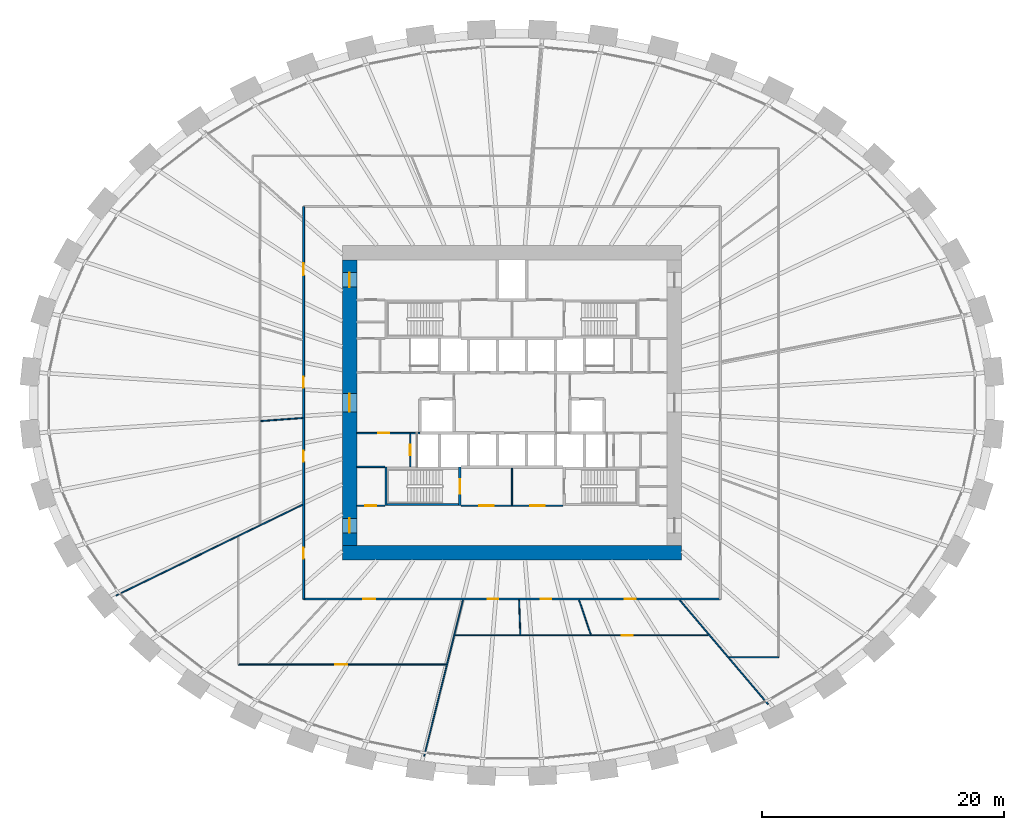
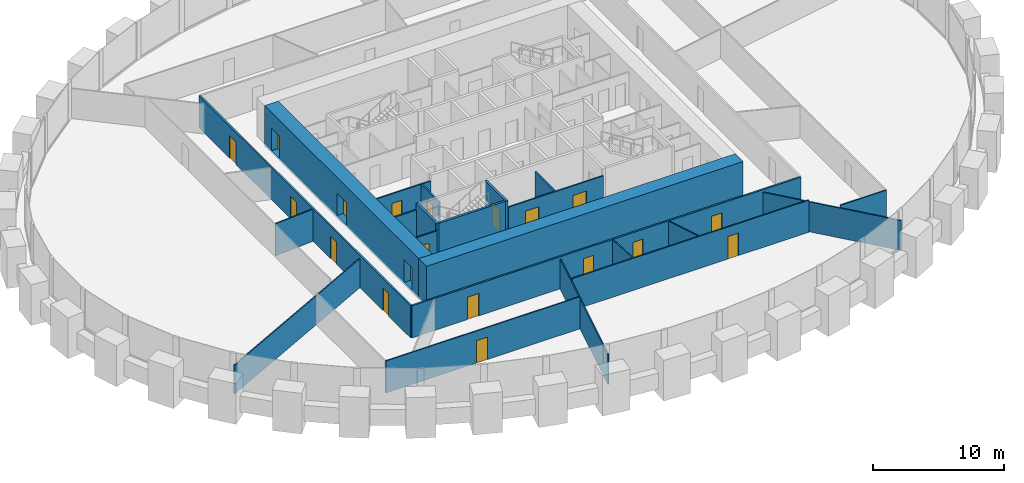
# One storey, part 6 of 10: 22 walls, 19 doors, 19 openings.
"""IFC4 building model written with IfcOpenShell, lengths in metres."""

from ifc_helpers import new_model, si_unit, direction, frame, frame_2d, origin, place, context, subcontext, project, spatial, rectangle, extrude, source, transform, mapped, material, layer, layer_set, type_object, element, fill, save


model = new_model("IFC4")

# Units and contexts
model_context = context("Model", 3, precision=1e-05, world=origin(), true_north=direction((0.0, 1.0)))
body_context = subcontext(model_context, "Body", "Model", "MODEL_VIEW")
ifc_project = project(units=[si_unit("LENGTHUNIT", "METRE"), si_unit("AREAUNIT", "SQUARE_METRE"), si_unit("VOLUMEUNIT", "CUBIC_METRE"), si_unit("PLANEANGLEUNIT", "RADIAN"), si_unit("MASSUNIT", "GRAM", prefix="KILO")], contexts=[model_context])

# Site, building, storey
site_placement = place(None, origin())
site = spatial("IfcSite", under=ifc_project, at=site_placement, CompositionType="ELEMENT")
building_placement = place(site_placement, origin())
building = spatial("IfcBuilding", under=site, at=building_placement, Name="Embergate Tower", CompositionType="ELEMENT")
storey_placement = place(building_placement, frame((0.0, 0.0, 121.10009765625)))
storey = spatial("IfcBuildingStorey", under=building, at=storey_placement, Name="L26", CompositionType="ELEMENT", Elevation=121.10009765625)

# Wall
ifc_material_1 = material(Name="Concrete C80", Category="concrete")
ifc_layer_1 = layer(ifc_material_1, 1.199951171875)
ifc_layer_set_1 = layer_set([ifc_layer_1], Name="Concrete C80")
wall_type_1 = type_object("IfcWallType", Name="Core outer wall C80 1200", PredefinedType="SHEAR", material=ifc_layer_set_1)
shared_shape_1 = source(origin(), body_context, "Body", "SweptSolid", [
    extrude(rectangle(XDim=28.0, YDim=1.199951171875, at=frame_2d((14.0, 0.0))), origin(), (0.0, 0.0, 1.0), 3.800048828125),
])
wall_1_placement = place(storey_placement, frame((-14.0, -12.39990234375, -0.2001953125), z_axis=(0.0, 0.0, 1.0), x_axis=(1.0, 0.0, 0.0)))
element("IfcWall", 1, at=wall_1_placement, inside=storey, type_object=wall_type_1, Name="CW-L26-S", PredefinedType="SHEAR", context=body_context, shape_type="MappedRepresentation", body=[
    mapped(shared_shape_1, transform((0.0, 0.0, 0.0))),
])

# Wall, openings, doors
shared_shape_2 = source(origin(), body_context, "Body", "SweptSolid", [
    extrude(rectangle(XDim=23.60009765625, YDim=1.199951171875, at=frame_2d((11.800048828125, 0.0))), origin(), (0.0, 0.0, 1.0), 3.800048828125),
])
wall_2_placement = place(storey_placement, frame((-13.39990234375, -11.800048828125, -0.2001953125), z_axis=(0.0, 0.0, 1.0), x_axis=(0.0, 1.0, 0.0)))
wall_2 = element("IfcWall", 2, at=wall_2_placement, inside=storey, type_object=wall_type_1, Name="CW-L26-W", PredefinedType="SHEAR", context=body_context, shape_type="MappedRepresentation", body=[
    mapped(shared_shape_2, transform((0.0, 0.0, 0.0))),
])
shared_shape_3 = source(origin(), body_context, "Body", "SweptSolid", [
    extrude(rectangle(XDim=1.199951171875, YDim=2.10009765625, at=frame_2d((0.60009765625, 1.050048828125))), frame((0.0, 0.60986328125, 0.0), z_axis=(0.0, -1.0, 0.0), x_axis=(1.0, 0.0, 0.0)), (0.0, 0.0, 1.0), 1.219970703125),
])
opening_1_placement = place(wall_2_placement, frame((21.35009765625, 0.0, 0.199951171875)))
opening_1 = element("IfcOpeningElement", 3, at=opening_1_placement, cuts=wall_2, Name="Opening IF-1", PredefinedType="OPENING", context=body_context, shape_type="MappedRepresentation", body=[
    mapped(shared_shape_3, transform((0.0, 0.0, 0.0))),
])
opening_2_placement = place(wall_2_placement, frame((1.050048828125, 0.0, 0.199951171875)))
opening_2 = element("IfcOpeningElement", 4, at=opening_2_placement, cuts=wall_2, Name="Opening IF-1", PredefinedType="OPENING", context=body_context, shape_type="MappedRepresentation", body=[
    mapped(shared_shape_3, transform((0.0, 0.0, 0.0))),
])
shared_shape_4 = source(origin(), body_context, "Body", "SweptSolid", [
    extrude(rectangle(XDim=1.5, YDim=2.10009765625, at=frame_2d((0.75, 1.050048828125))), frame((0.0, 0.60986328125, 0.0), z_axis=(0.0, -1.0, 0.0), x_axis=(1.0, 0.0, 0.0)), (0.0, 0.0, 1.0), 1.219970703125),
])
opening_3_placement = place(wall_2_placement, frame((11.050048828125, 0.0, 0.199951171875)))
opening_3 = element("IfcOpeningElement", 5, at=opening_3_placement, cuts=wall_2, Name="Opening IF-3", PredefinedType="OPENING", context=body_context, shape_type="MappedRepresentation", body=[
    mapped(shared_shape_4, transform((0.0, 0.0, 0.0))),
])
ifc_material_2 = material(Name="Escape fire door 1200")
door_type_1 = type_object("IfcDoorType", Name="Escape fire door 1200", OperationType="SINGLE_SWING_LEFT", PredefinedType="DOOR", material=ifc_material_2)
shared_shape_5 = source(origin(), body_context, "Body", "SweptSolid", [
    extrude(rectangle(XDim=1.199951171875, YDim=2.10009765625, at=frame_2d((0.60009765625, 1.050048828125))), frame((0.0, 0.02490234375, 0.0), z_axis=(0.0, -1.0, 0.0), x_axis=(1.0, 0.0, 0.0)), (0.0, 0.0, 1.0), 0.050048828125),
])
door_1_placement = place(opening_1_placement, origin())
door_1 = element("IfcDoor", 6, at=door_1_placement, inside=storey, type_object=door_type_1, Name="IF-1 door", OperationType="SINGLE_SWING_LEFT", OverallHeight=2.10009765625, OverallWidth=1.199951171875, PredefinedType="DOOR", context=body_context, shape_type="MappedRepresentation", body=[
    mapped(shared_shape_5, transform((0.0, 0.0, 0.0))),
])
fill(opening_1, door_1)
door_2_placement = place(opening_2_placement, origin())
door_2 = element("IfcDoor", 7, at=door_2_placement, inside=storey, type_object=door_type_1, Name="IF-1 door", OperationType="SINGLE_SWING_LEFT", OverallHeight=2.10009765625, OverallWidth=1.199951171875, PredefinedType="DOOR", context=body_context, shape_type="MappedRepresentation", body=[
    mapped(shared_shape_5, transform((0.0, 0.0, 0.0))),
])
fill(opening_2, door_2)
ifc_material_3 = material(Name="Lobby fire door pair 1500")
door_type_2 = type_object("IfcDoorType", Name="Lobby fire door pair 1500", OperationType="DOUBLE_DOOR_SINGLE_SWING", PredefinedType="DOOR", material=ifc_material_3)
shared_shape_6 = source(origin(), body_context, "Body", "SweptSolid", [
    extrude(rectangle(XDim=1.5, YDim=2.10009765625, at=frame_2d((0.75, 1.050048828125))), frame((0.0, 0.02490234375, 0.0), z_axis=(0.0, -1.0, 0.0), x_axis=(1.0, 0.0, 0.0)), (0.0, 0.0, 1.0), 0.050048828125),
])
door_3_placement = place(opening_3_placement, origin())
door_3 = element("IfcDoor", 8, at=door_3_placement, inside=storey, type_object=door_type_2, Name="IF-3 door", OperationType="DOUBLE_DOOR_SINGLE_SWING", OverallHeight=2.10009765625, OverallWidth=1.5, PredefinedType="DOOR", context=body_context, shape_type="MappedRepresentation", body=[
    mapped(shared_shape_6, transform((0.0, 0.0, 0.0))),
])
fill(opening_3, door_3)

# Wall, opening, door
ifc_material_4 = material(Name="Core partition blockwork 120")
ifc_layer_2 = layer(ifc_material_4, 0.1201171875)
ifc_layer_set_2 = layer_set([ifc_layer_2], Name="Core partition blockwork 120")
wall_type_2 = type_object("IfcWallType", Name="Core partition blockwork 120", PredefinedType="PARTITIONING", material=ifc_layer_set_2)
shared_shape_7 = source(origin(), body_context, "Body", "SweptSolid", [
    extrude(rectangle(XDim=2.739990234375, YDim=0.1201171875, at=frame_2d((1.3701171875, 0.0))), origin(), (0.0, 0.0, 1.0), 3.0),
])
wall_3_placement = place(storey_placement, frame((-8.39990234375, -2.56005859375, 0.0), z_axis=(0.0, 0.0, 1.0), x_axis=(0.0, -1.0, 0.0)))
wall_3 = element("IfcWall", 9, at=wall_3_placement, inside=storey, type_object=wall_type_2, Name="IP-3 wall", PredefinedType="PARTITIONING", context=body_context, shape_type="MappedRepresentation", body=[
    mapped(shared_shape_7, transform((0.0, 0.0, 0.0))),
])
shared_shape_8 = source(origin(), body_context, "Body", "SweptSolid", [
    extrude(rectangle(XDim=0.89990234375, YDim=2.10009765625, at=frame_2d((0.449951171875, 1.050048828125))), frame((0.0, 0.070068359375, 0.0), z_axis=(0.0, -1.0, 0.0), x_axis=(1.0, 0.0, 0.0)), (0.0, 0.0, 1.0), 0.14013671875),
])
opening_4_placement = place(wall_3_placement, frame((0.889892578125, 0.0, 0.0)))
opening_4 = element("IfcOpeningElement", 10, at=opening_4_placement, cuts=wall_3, Name="Opening ID-1", PredefinedType="OPENING", context=body_context, shape_type="MappedRepresentation", body=[
    mapped(shared_shape_8, transform((0.0, 0.0, 0.0))),
])
ifc_material_5 = material(Name="Interior door 900")
door_type_3 = type_object("IfcDoorType", Name="Interior door 900", OperationType="SINGLE_SWING_LEFT", PredefinedType="DOOR", material=ifc_material_5)
shared_shape_9 = source(origin(), body_context, "Body", "SweptSolid", [
    extrude(rectangle(XDim=0.89990234375, YDim=2.10009765625, at=frame_2d((0.449951171875, 1.050048828125))), frame((0.0, 0.02490234375, 0.0), z_axis=(0.0, -1.0, 0.0), x_axis=(1.0, 0.0, 0.0)), (0.0, 0.0, 1.0), 0.050048828125),
])
door_4_placement = place(opening_4_placement, origin())
door_4 = element("IfcDoor", 11, at=door_4_placement, inside=storey, type_object=door_type_3, Name="ID-1 door", OperationType="SINGLE_SWING_LEFT", OverallHeight=2.10009765625, OverallWidth=0.89990234375, PredefinedType="DOOR", context=body_context, shape_type="MappedRepresentation", body=[
    mapped(shared_shape_9, transform((0.0, 0.0, 0.0))),
])
fill(opening_4, door_4)

shared_shape_10 = source(origin(), body_context, "Body", "SweptSolid", [
    extrude(rectangle(XDim=5.199951171875, YDim=0.1201171875, at=frame_2d((2.60009765625, 0.0))), origin(), (0.0, 0.0, 1.0), 3.0),
])
wall_4_placement = place(storey_placement, frame((-7.60009765625, -2.5, 0.0), z_axis=(0.0, 0.0, 1.0), x_axis=(-1.0, 0.0, 0.0)))
wall_4 = element("IfcWall", 12, at=wall_4_placement, inside=storey, type_object=wall_type_2, Name="IP-3 wall", PredefinedType="PARTITIONING", context=body_context, shape_type="MappedRepresentation", body=[
    mapped(shared_shape_10, transform((0.0, 0.0, 0.0))),
])
opening_5_placement = place(wall_4_placement, frame((2.550048828125, 0.0, 0.0)))
opening_5 = element("IfcOpeningElement", 13, at=opening_5_placement, cuts=wall_4, Name="Opening ID-1", PredefinedType="OPENING", context=body_context, shape_type="MappedRepresentation", body=[
    mapped(shared_shape_8, transform((0.0, 0.0, 0.0))),
])
door_5_placement = place(opening_5_placement, origin())
door_5 = element("IfcDoor", 14, at=door_5_placement, inside=storey, type_object=door_type_3, Name="ID-1 door", OperationType="SINGLE_SWING_LEFT", OverallHeight=2.10009765625, OverallWidth=0.89990234375, PredefinedType="DOOR", context=body_context, shape_type="MappedRepresentation", body=[
    mapped(shared_shape_9, transform((0.0, 0.0, 0.0))),
])
fill(opening_5, door_5)

# Wall
shared_shape_11 = source(origin(), body_context, "Body", "SweptSolid", [
    extrude(rectangle(XDim=3.014892578125, YDim=0.1201171875, at=frame_2d((1.50732421875, 0.0))), origin(), (0.0, 0.0, 1.0), 3.0),
])
wall_5_placement = place(storey_placement, frame((0.0, -8.43994140625, 0.0), z_axis=(0.0, 0.0, 1.0), x_axis=(0.0, 1.0, 0.0)))
element("IfcWall", 15, at=wall_5_placement, inside=storey, type_object=wall_type_2, Name="IP-3 wall", PredefinedType="PARTITIONING", context=body_context, shape_type="MappedRepresentation", body=[
    mapped(shared_shape_11, transform((0.0, 0.0, 0.0))),
])

# Wall, openings, doors
shared_shape_12 = source(origin(), body_context, "Body", "SweptSolid", [
    extrude(rectangle(XDim=8.39990234375, YDim=0.1201171875, at=frame_2d((4.199951171875, 0.0))), origin(), (0.0, 0.0, 1.0), 3.0),
])
wall_6_placement = place(storey_placement, frame((-4.199951171875, -8.5, 0.0), z_axis=(0.0, 0.0, 1.0), x_axis=(1.0, 0.0, 0.0)))
wall_6 = element("IfcWall", 16, at=wall_6_placement, inside=storey, type_object=wall_type_2, Name="IP-3 wall", PredefinedType="PARTITIONING", context=body_context, shape_type="MappedRepresentation", body=[
    mapped(shared_shape_12, transform((0.0, 0.0, 0.0))),
])
shared_shape_13 = source(origin(), body_context, "Body", "SweptSolid", [
    extrude(rectangle(XDim=1.199951171875, YDim=2.10009765625, at=frame_2d((0.60009765625, 1.050048828125))), frame((0.0, 0.070068359375, 0.0), z_axis=(0.0, -1.0, 0.0), x_axis=(1.0, 0.0, 0.0)), (0.0, 0.0, 1.0), 0.14013671875),
])
opening_6_placement = place(wall_6_placement, frame((1.5, 0.0, 0.0)))
opening_6 = element("IfcOpeningElement", 17, at=opening_6_placement, cuts=wall_6, Name="Opening IF-3f", PredefinedType="OPENING", context=body_context, shape_type="MappedRepresentation", body=[
    mapped(shared_shape_13, transform((0.0, 0.0, 0.0))),
])
opening_7_placement = place(wall_6_placement, frame((5.699951171875, 0.0, 0.0)))
opening_7 = element("IfcOpeningElement", 18, at=opening_7_placement, cuts=wall_6, Name="Opening IF-3f", PredefinedType="OPENING", context=body_context, shape_type="MappedRepresentation", body=[
    mapped(shared_shape_13, transform((0.0, 0.0, 0.0))),
])
ifc_material_6 = material(Name="Lobby fire door pair 1200")
door_type_4 = type_object("IfcDoorType", Name="Lobby fire door pair 1200", OperationType="DOUBLE_DOOR_SINGLE_SWING", PredefinedType="DOOR", material=ifc_material_6)
door_6_placement = place(opening_6_placement, origin())
door_6 = element("IfcDoor", 19, at=door_6_placement, inside=storey, type_object=door_type_4, Name="IF-3 door", OperationType="DOUBLE_DOOR_SINGLE_SWING", OverallHeight=2.10009765625, OverallWidth=1.199951171875, PredefinedType="DOOR", context=body_context, shape_type="MappedRepresentation", body=[
    mapped(shared_shape_5, transform((0.0, 0.0, 0.0))),
])
fill(opening_6, door_6)
door_7_placement = place(opening_7_placement, origin())
door_7 = element("IfcDoor", 20, at=door_7_placement, inside=storey, type_object=door_type_4, Name="IF-3 door", OperationType="DOUBLE_DOOR_SINGLE_SWING", OverallHeight=2.10009765625, OverallWidth=1.199951171875, PredefinedType="DOOR", context=body_context, shape_type="MappedRepresentation", body=[
    mapped(shared_shape_5, transform((0.0, 0.0, 0.0))),
])
fill(opening_7, door_7)

# Wall, opening, door
shared_shape_14 = source(origin(), body_context, "Body", "SweptSolid", [
    extrude(rectangle(XDim=2.300048828125, YDim=0.1201171875, at=frame_2d((1.14990234375, 0.0))), origin(), (0.0, 0.0, 1.0), 3.0),
])
wall_7_placement = place(storey_placement, frame((-10.5, -8.5, 0.0), z_axis=(0.0, 0.0, 1.0), x_axis=(-1.0, 0.0, 0.0)))
wall_7 = element("IfcWall", 21, at=wall_7_placement, inside=storey, type_object=wall_type_2, Name="IP-3 wall", PredefinedType="PARTITIONING", context=body_context, shape_type="MappedRepresentation", body=[
    mapped(shared_shape_14, transform((0.0, 0.0, 0.0))),
])
opening_8_placement = place(wall_7_placement, frame((0.699951171875, 0.0, 0.0)))
opening_8 = element("IfcOpeningElement", 22, at=opening_8_placement, cuts=wall_7, Name="Opening ID-1", PredefinedType="OPENING", context=body_context, shape_type="MappedRepresentation", body=[
    mapped(shared_shape_8, transform((0.0, 0.0, 0.0))),
])
door_8_placement = place(opening_8_placement, origin())
door_8 = element("IfcDoor", 23, at=door_8_placement, inside=storey, type_object=door_type_3, Name="ID-1 door", OperationType="SINGLE_SWING_LEFT", OverallHeight=2.10009765625, OverallWidth=0.89990234375, PredefinedType="DOOR", context=body_context, shape_type="MappedRepresentation", body=[
    mapped(shared_shape_9, transform((0.0, 0.0, 0.0))),
])
fill(opening_8, door_8)

# Walls
wall_8_placement = place(storey_placement, frame((-12.800048828125, -5.300048828125, 0.0), z_axis=(0.0, 0.0, 1.0), x_axis=(1.0, 0.0, 0.0)))
element("IfcWall", 24, at=wall_8_placement, inside=storey, type_object=wall_type_2, Name="IP-3 wall", PredefinedType="PARTITIONING", context=body_context, shape_type="MappedRepresentation", body=[
    mapped(shared_shape_14, transform((0.0, 0.0, 0.0))),
])
ifc_material_7 = material(Name="Partition dry-lined 100 wet")
ifc_layer_3 = layer(ifc_material_7, 0.10009765625)
ifc_layer_set_3 = layer_set([ifc_layer_3], Name="Partition dry-lined 100 wet")
wall_type_3 = type_object("IfcWallType", Name="Partition dry-lined 100 wet", PredefinedType="PLUMBINGWALL", material=ifc_layer_set_3)
shared_shape_15 = source(origin(), body_context, "Body", "SweptSolid", [
    extrude(rectangle(XDim=2.876953125, YDim=0.10009765625, at=frame_2d((1.4384765625, 0.0))), origin(), (0.0, 0.0, 1.0), 3.0),
])
wall_9_placement = place(storey_placement, frame((0.5849609375, -16.27490234375, 0.0), z_axis=(0.0, 0.0, 1.0), x_axis=(0.035812610105, -0.999358522732, 0.0)))
element("IfcWall", 25, at=wall_9_placement, inside=storey, type_object=wall_type_3, Name="IP-1 wall", PredefinedType="PLUMBINGWALL", context=body_context, shape_type="MappedRepresentation", body=[
    mapped(shared_shape_15, transform((0.0, 0.0, 0.0))),
])
ifc_material_8 = material(Name="Concrete C50", Category="concrete")
ifc_layer_4 = layer(ifc_material_8, 0.199951171875)
ifc_layer_set_4 = layer_set([ifc_layer_4], Name="Concrete C50")
wall_type_4 = type_object("IfcWallType", Name="Stair enclosure wall reinforced concrete 250", PredefinedType="SHEAR", material=ifc_layer_set_4)
shared_shape_16 = source(origin(), body_context, "Body", "SweptSolid", [
    extrude(rectangle(XDim=6.300048828125, YDim=0.199951171875, at=frame_2d((3.14990234375, 0.0))), origin(), (0.0, 0.0, 1.0), 3.599853515625),
])
wall_10_placement = place(storey_placement, frame((-10.5, -8.39990234375, 0.0), z_axis=(0.0, 0.0, 1.0), x_axis=(1.0, 0.0, 0.0)))
element("IfcWall", 26, at=wall_10_placement, inside=storey, type_object=wall_type_4, Name="SE-1 wall", PredefinedType="SHEAR", context=body_context, shape_type="MappedRepresentation", body=[
    mapped(shared_shape_16, transform((0.0, 0.0, 0.0))),
])

# Wall, opening, door
shared_shape_17 = source(origin(), body_context, "Body", "SweptSolid", [
    extrude(rectangle(XDim=3.199951171875, YDim=0.199951171875, at=frame_2d((1.60009765625, 0.0))), origin(), (0.0, 0.0, 1.0), 3.599853515625),
])
wall_11_placement = place(storey_placement, frame((-4.300048828125, -8.5, 0.0), z_axis=(0.0, 0.0, 1.0), x_axis=(0.0, 1.0, 0.0)))
wall_11 = element("IfcWall", 27, at=wall_11_placement, inside=storey, type_object=wall_type_4, Name="SE-1 wall", PredefinedType="SHEAR", context=body_context, shape_type="MappedRepresentation", body=[
    mapped(shared_shape_17, transform((0.0, 0.0, 0.0))),
])
shared_shape_18 = source(origin(), body_context, "Body", "SweptSolid", [
    extrude(rectangle(XDim=1.199951171875, YDim=2.10009765625, at=frame_2d((0.60009765625, 1.050048828125))), frame((0.0, 0.10986328125, 0.0), z_axis=(0.0, -1.0, 0.0), x_axis=(1.0, 0.0, 0.0)), (0.0, 0.0, 1.0), 0.219970703125),
])
opening_9_placement = place(wall_11_placement, frame((1.0, 0.0, 0.0)))
opening_9 = element("IfcOpeningElement", 28, at=opening_9_placement, cuts=wall_11, Name="Opening IF-2", PredefinedType="OPENING", context=body_context, shape_type="MappedRepresentation", body=[
    mapped(shared_shape_18, transform((0.0, 0.0, 0.0))),
])
ifc_material_9 = material(Name="Stair enclosure door 1200")
door_type_5 = type_object("IfcDoorType", Name="Stair enclosure door 1200", OperationType="SINGLE_SWING_LEFT", PredefinedType="DOOR", material=ifc_material_9)
door_9_placement = place(opening_9_placement, origin())
door_9 = element("IfcDoor", 29, at=door_9_placement, inside=storey, type_object=door_type_5, Name="IF-2 door", OperationType="SINGLE_SWING_LEFT", OverallHeight=2.10009765625, OverallWidth=1.199951171875, PredefinedType="DOOR", context=body_context, shape_type="MappedRepresentation", body=[
    mapped(shared_shape_5, transform((0.0, 0.0, 0.0))),
])
fill(opening_9, door_9)

# Wall
wall_12_placement = place(storey_placement, frame((-10.39990234375, -5.300048828125, 0.0), z_axis=(0.0, 0.0, 1.0), x_axis=(0.0, -1.0, 0.0)))
element("IfcWall", 30, at=wall_12_placement, inside=storey, type_object=wall_type_4, Name="SE-1 wall", PredefinedType="SHEAR", context=body_context, shape_type="MappedRepresentation", body=[
    mapped(shared_shape_17, transform((0.0, 0.0, 0.0))),
])

# Wall, openings, doors
ifc_material_10 = material(Name="Corridor wall dry-lined 150")
ifc_layer_5 = layer(ifc_material_10, 0.14990234375)
ifc_layer_set_5 = layer_set([ifc_layer_5], Name="Corridor wall dry-lined 150")
wall_type_5 = type_object("IfcWallType", Name="Corridor wall dry-lined 150", PredefinedType="PARTITIONING", material=ifc_layer_set_5)
shared_shape_19 = source(origin(), body_context, "Body", "SweptSolid", [
    extrude(rectangle(XDim=34.39990234375, YDim=0.14990234375, at=frame_2d((17.199951171875, 0.0))), origin(), (0.0, 0.0, 1.0), 3.0),
])
wall_13_placement = place(storey_placement, frame((17.199951171875, -16.199951171875, 0.0), z_axis=(0.0, 0.0, 1.0), x_axis=(-1.0, 0.0, 0.0)))
wall_13 = element("IfcWall", 31, at=wall_13_placement, inside=storey, type_object=wall_type_5, Name="IP-2 wall", PredefinedType="PARTITIONING", context=body_context, shape_type="MappedRepresentation", body=[
    mapped(shared_shape_19, transform((0.0, 0.0, 0.0))),
])
shared_shape_20 = source(origin(), body_context, "Body", "SweptSolid", [
    extrude(rectangle(XDim=1.0, YDim=2.10009765625, at=frame_2d((0.5, 1.050048828125))), frame((0.0, 0.0849609375, 0.0), z_axis=(0.0, -1.0, 0.0), x_axis=(1.0, 0.0, 0.0)), (0.0, 0.0, 1.0), 0.169921875),
])
opening_10_placement = place(wall_13_placement, frame((28.468017578125, 0.0, 0.0)))
opening_10 = element("IfcOpeningElement", 32, at=opening_10_placement, cuts=wall_13, Name="Opening ID-2", PredefinedType="OPENING", context=body_context, shape_type="MappedRepresentation", body=[
    mapped(shared_shape_20, transform((0.0, 0.0, 0.0))),
])
shared_shape_21 = source(origin(), body_context, "Body", "SweptSolid", [
    extrude(rectangle(XDim=0.89990234375, YDim=2.10009765625, at=frame_2d((0.449951171875, 1.050048828125))), frame((0.0, 0.0849609375, 0.0), z_axis=(0.0, -1.0, 0.0), x_axis=(1.0, 0.0, 0.0)), (0.0, 0.0, 1.0), 0.169921875),
])
opening_11_placement = place(wall_13_placement, frame((18.31689453125, 0.0, 0.0)))
opening_11 = element("IfcOpeningElement", 33, at=opening_11_placement, cuts=wall_13, Name="Opening IF-1c", PredefinedType="OPENING", context=body_context, shape_type="MappedRepresentation", body=[
    mapped(shared_shape_21, transform((0.0, 0.0, 0.0))),
])
opening_12_placement = place(wall_13_placement, frame((13.946044921875, 0.0, 0.0)))
opening_12 = element("IfcOpeningElement", 34, at=opening_12_placement, cuts=wall_13, Name="Opening IF-1c", PredefinedType="OPENING", context=body_context, shape_type="MappedRepresentation", body=[
    mapped(shared_shape_21, transform((0.0, 0.0, 0.0))),
])
opening_13_placement = place(wall_13_placement, frame((6.97998046875, 0.0, 0.0)))
opening_13 = element("IfcOpeningElement", 35, at=opening_13_placement, cuts=wall_13, Name="Opening IF-1c", PredefinedType="OPENING", context=body_context, shape_type="MappedRepresentation", body=[
    mapped(shared_shape_21, transform((0.0, 0.0, 0.0))),
])
ifc_material_11 = material(Name="Escape fire door 900")
door_type_6 = type_object("IfcDoorType", Name="Escape fire door 900", OperationType="SINGLE_SWING_LEFT", PredefinedType="DOOR", material=ifc_material_11)
door_10_placement = place(opening_11_placement, origin())
door_10 = element("IfcDoor", 36, at=door_10_placement, inside=storey, type_object=door_type_6, Name="IF-1 door", OperationType="SINGLE_SWING_RIGHT", OverallHeight=2.10009765625, OverallWidth=0.89990234375, PredefinedType="DOOR", context=body_context, shape_type="MappedRepresentation", body=[
    mapped(shared_shape_9, transform((0.0, 0.0, 0.0))),
])
fill(opening_11, door_10)
door_11_placement = place(opening_12_placement, origin())
door_11 = element("IfcDoor", 37, at=door_11_placement, inside=storey, type_object=door_type_6, Name="IF-1 door", OperationType="SINGLE_SWING_RIGHT", OverallHeight=2.10009765625, OverallWidth=0.89990234375, PredefinedType="DOOR", context=body_context, shape_type="MappedRepresentation", body=[
    mapped(shared_shape_9, transform((0.0, 0.0, 0.0))),
])
fill(opening_12, door_11)
door_12_placement = place(opening_13_placement, origin())
door_12 = element("IfcDoor", 38, at=door_12_placement, inside=storey, type_object=door_type_6, Name="IF-1 door", OperationType="SINGLE_SWING_LEFT", OverallHeight=2.10009765625, OverallWidth=0.89990234375, PredefinedType="DOOR", context=body_context, shape_type="MappedRepresentation", body=[
    mapped(shared_shape_9, transform((0.0, 0.0, 0.0))),
])
fill(opening_13, door_12)
ifc_material_12 = material(Name="Interior door 1000")
door_type_7 = type_object("IfcDoorType", Name="Interior door 1000", OperationType="SINGLE_SWING_LEFT", PredefinedType="DOOR", material=ifc_material_12)
shared_shape_22 = source(origin(), body_context, "Body", "SweptSolid", [
    extrude(rectangle(XDim=1.0, YDim=2.10009765625, at=frame_2d((0.5, 1.050048828125))), frame((0.0, 0.02490234375, 0.0), z_axis=(0.0, -1.0, 0.0), x_axis=(1.0, 0.0, 0.0)), (0.0, 0.0, 1.0), 0.050048828125),
])
door_13_placement = place(opening_10_placement, origin())
door_13 = element("IfcDoor", 39, at=door_13_placement, inside=storey, type_object=door_type_7, Name="ID-2 door", OperationType="SINGLE_SWING_RIGHT", OverallHeight=2.10009765625, OverallWidth=1.0, PredefinedType="DOOR", context=body_context, shape_type="MappedRepresentation", body=[
    mapped(shared_shape_22, transform((0.0, 0.0, 0.0))),
])
fill(opening_10, door_13)

shared_shape_23 = source(origin(), body_context, "Body", "SweptSolid", [
    extrude(rectangle(XDim=32.39990234375, YDim=0.14990234375, at=frame_2d((16.199951171875, 0.0))), origin(), (0.0, 0.0, 1.0), 3.0),
])
wall_14_placement = place(storey_placement, frame((-17.199951171875, -16.199951171875, 0.0), z_axis=(0.0, 0.0, 1.0), x_axis=(0.0, 1.0, 0.0)))
wall_14 = element("IfcWall", 40, at=wall_14_placement, inside=storey, type_object=wall_type_5, Name="IP-2 wall", PredefinedType="PARTITIONING", context=body_context, shape_type="MappedRepresentation", body=[
    mapped(shared_shape_23, transform((0.0, 0.0, 0.0))),
])
opening_14_placement = place(wall_14_placement, frame((3.3369140625, 0.0, 0.0)))
opening_14 = element("IfcOpeningElement", 41, at=opening_14_placement, cuts=wall_14, Name="Opening IF-1c", PredefinedType="OPENING", context=body_context, shape_type="MappedRepresentation", body=[
    mapped(shared_shape_21, transform((0.0, 0.0, 0.0))),
])
opening_15_placement = place(wall_14_placement, frame((26.72509765625, 0.0, 0.0)))
opening_15 = element("IfcOpeningElement", 42, at=opening_15_placement, cuts=wall_14, Name="Opening ID-2", PredefinedType="OPENING", context=body_context, shape_type="MappedRepresentation", body=[
    mapped(shared_shape_20, transform((0.0, 0.0, 0.0))),
])
opening_16_placement = place(wall_14_placement, frame((17.4541015625, 0.0, 0.0)))
opening_16 = element("IfcOpeningElement", 43, at=opening_16_placement, cuts=wall_14, Name="Opening IF-1c", PredefinedType="OPENING", context=body_context, shape_type="MappedRepresentation", body=[
    mapped(shared_shape_21, transform((0.0, 0.0, 0.0))),
])
opening_17_placement = place(wall_14_placement, frame((11.330078125, 0.0, 0.0)))
opening_17 = element("IfcOpeningElement", 44, at=opening_17_placement, cuts=wall_14, Name="Opening IF-1c", PredefinedType="OPENING", context=body_context, shape_type="MappedRepresentation", body=[
    mapped(shared_shape_21, transform((0.0, 0.0, 0.0))),
])
door_14_placement = place(opening_14_placement, origin())
door_14 = element("IfcDoor", 45, at=door_14_placement, inside=storey, type_object=door_type_6, Name="IF-1 door", OperationType="SINGLE_SWING_LEFT", OverallHeight=2.10009765625, OverallWidth=0.89990234375, PredefinedType="DOOR", context=body_context, shape_type="MappedRepresentation", body=[
    mapped(shared_shape_9, transform((0.0, 0.0, 0.0))),
])
fill(opening_14, door_14)
door_15_placement = place(opening_16_placement, origin())
door_15 = element("IfcDoor", 46, at=door_15_placement, inside=storey, type_object=door_type_6, Name="IF-1 door", OperationType="SINGLE_SWING_LEFT", OverallHeight=2.10009765625, OverallWidth=0.89990234375, PredefinedType="DOOR", context=body_context, shape_type="MappedRepresentation", body=[
    mapped(shared_shape_9, transform((0.0, 0.0, 0.0))),
])
fill(opening_16, door_15)
door_16_placement = place(opening_17_placement, origin())
door_16 = element("IfcDoor", 47, at=door_16_placement, inside=storey, type_object=door_type_6, Name="IF-1 door", OperationType="SINGLE_SWING_LEFT", OverallHeight=2.10009765625, OverallWidth=0.89990234375, PredefinedType="DOOR", context=body_context, shape_type="MappedRepresentation", body=[
    mapped(shared_shape_9, transform((0.0, 0.0, 0.0))),
])
fill(opening_17, door_16)
door_17_placement = place(opening_15_placement, origin())
door_17 = element("IfcDoor", 48, at=door_17_placement, inside=storey, type_object=door_type_7, Name="ID-2 door", OperationType="SINGLE_SWING_LEFT", OverallHeight=2.10009765625, OverallWidth=1.0, PredefinedType="DOOR", context=body_context, shape_type="MappedRepresentation", body=[
    mapped(shared_shape_22, transform((0.0, 0.0, 0.0))),
])
fill(opening_15, door_17)

# Wall
ifc_material_13 = material(Name="Partition dry-lined 100")
ifc_layer_6 = layer(ifc_material_13, 0.10009765625)
ifc_layer_set_6 = layer_set([ifc_layer_6], Name="Partition dry-lined 100")
wall_type_6 = type_object("IfcWallType", Name="Partition dry-lined 100", PredefinedType="PARTITIONING", material=ifc_layer_set_6)
shared_shape_24 = source(origin(), body_context, "Body", "SweptSolid", [
    extrude(rectangle(XDim=17.1201171875, YDim=0.10009765625, at=frame_2d((8.56005859375, 0.0))), origin(), (0.0, 0.0, 1.0), 2.699951171875),
])
wall_15_placement = place(storey_placement, frame((-32.68994140625, -15.9140625, 0.0), z_axis=(0.0, 0.0, 1.0), x_axis=(0.899103141394, 0.437736840049, 0.0)))
element("IfcWall", 49, at=wall_15_placement, inside=storey, type_object=wall_type_6, Name="IP-1 wall", PredefinedType="PARTITIONING", context=body_context, shape_type="MappedRepresentation", body=[
    mapped(shared_shape_24, transform((0.0, 0.0, 0.0))),
])

# Wall, opening, door
shared_shape_25 = source(origin(), body_context, "Body", "SweptSolid", [
    extrude(rectangle(XDim=17.168212890625, YDim=0.10009765625, at=frame_2d((8.583984375, 0.0))), origin(), (0.0, 0.0, 1.0), 3.0),
])
wall_16_placement = place(storey_placement, frame((-22.60009765625, -21.60009765625, 0.0), z_axis=(0.0, 0.0, 1.0), x_axis=(1.0, 0.0, 0.0)))
wall_16 = element("IfcWall", 50, at=wall_16_placement, inside=storey, type_object=wall_type_6, Name="IP-1 wall", PredefinedType="PARTITIONING", context=body_context, shape_type="MappedRepresentation", body=[
    mapped(shared_shape_25, transform((0.0, 0.0, 0.0))),
])
shared_shape_26 = source(origin(), body_context, "Body", "SweptSolid", [
    extrude(rectangle(XDim=1.0, YDim=2.10009765625, at=frame_2d((0.5, 1.050048828125))), frame((0.0, 0.06005859375, 0.0), z_axis=(0.0, -1.0, 0.0), x_axis=(1.0, 0.0, 0.0)), (0.0, 0.0, 1.0), 0.1201171875),
])
opening_18_placement = place(wall_16_placement, frame((8.00390625, 0.0, 0.0)))
opening_18 = element("IfcOpeningElement", 51, at=opening_18_placement, cuts=wall_16, Name="Opening ID-2", PredefinedType="OPENING", context=body_context, shape_type="MappedRepresentation", body=[
    mapped(shared_shape_26, transform((0.0, 0.0, 0.0))),
])
door_18_placement = place(opening_18_placement, origin())
door_18 = element("IfcDoor", 52, at=door_18_placement, inside=storey, type_object=door_type_7, Name="ID-2 door", OperationType="SINGLE_SWING_RIGHT", OverallHeight=2.10009765625, OverallWidth=1.0, PredefinedType="DOOR", context=body_context, shape_type="MappedRepresentation", body=[
    mapped(shared_shape_22, transform((0.0, 0.0, 0.0))),
])
fill(opening_18, door_18)

# Wall
shared_shape_27 = source(origin(), body_context, "Body", "SweptSolid", [
    extrude(rectangle(XDim=13.279052734375, YDim=0.10009765625, at=frame_2d((6.6396484375, 0.0))), origin(), (0.0, 0.0, 1.0), 2.7998046875),
])
wall_17_placement = place(storey_placement, frame((-7.2509765625, -29.174072265625, 0.0), z_axis=(0.0, 0.0, 1.0), x_axis=(0.24119866474, 0.970475761742, 0.0)))
element("IfcWall", 53, at=wall_17_placement, inside=storey, type_object=wall_type_6, Name="IP-1 wall", PredefinedType="PARTITIONING", context=body_context, shape_type="MappedRepresentation", body=[
    mapped(shared_shape_27, transform((0.0, 0.0, 0.0))),
])

# Wall, opening, door
shared_shape_28 = source(origin(), body_context, "Body", "SweptSolid", [
    extrude(rectangle(XDim=20.9130859375, YDim=0.10009765625, at=frame_2d((10.45654296875, 0.0))), origin(), (0.0, 0.0, 1.0), 3.0),
])
wall_18_placement = place(storey_placement, frame((16.205078125, -19.199951171875, 0.0), z_axis=(0.0, 0.0, 1.0), x_axis=(-1.0, 0.0, 0.0)))
wall_18 = element("IfcWall", 54, at=wall_18_placement, inside=storey, type_object=wall_type_3, Name="IP-1 wall", PredefinedType="PLUMBINGWALL", context=body_context, shape_type="MappedRepresentation", body=[
    mapped(shared_shape_28, transform((0.0, 0.0, 0.0))),
])
shared_shape_29 = source(origin(), body_context, "Body", "SweptSolid", [
    extrude(rectangle(XDim=0.89990234375, YDim=2.10009765625, at=frame_2d((0.449951171875, 1.050048828125))), frame((0.0, 0.06005859375, 0.0), z_axis=(0.0, -1.0, 0.0), x_axis=(1.0, 0.0, 0.0)), (0.0, 0.0, 1.0), 0.1201171875),
])
opening_19_placement = place(wall_18_placement, frame((6.242919921875, 0.0, 0.0)))
opening_19 = element("IfcOpeningElement", 55, at=opening_19_placement, cuts=wall_18, Name="Opening ID-1", PredefinedType="OPENING", context=body_context, shape_type="MappedRepresentation", body=[
    mapped(shared_shape_29, transform((0.0, 0.0, 0.0))),
])
door_19_placement = place(opening_19_placement, origin())
door_19 = element("IfcDoor", 56, at=door_19_placement, inside=storey, type_object=door_type_3, Name="ID-1 door", OperationType="SINGLE_SWING_LEFT", OverallHeight=2.10009765625, OverallWidth=0.89990234375, PredefinedType="DOOR", context=body_context, shape_type="MappedRepresentation", body=[
    mapped(shared_shape_9, transform((0.0, 0.0, 0.0))),
])
fill(opening_19, door_19)

# Walls
shared_shape_30 = source(origin(), body_context, "Body", "SweptSolid", [
    extrude(rectangle(XDim=3.002685546875, YDim=0.10009765625, at=frame_2d((1.50146484375, 0.0))), origin(), (0.0, 0.0, 1.0), 3.0),
])
wall_19_placement = place(storey_placement, frame((5.535888671875, -16.291015625, 0.0), z_axis=(0.0, 0.0, 1.0), x_axis=(0.321735098202, -0.946829724177, 0.0)))
element("IfcWall", 57, at=wall_19_placement, inside=storey, type_object=wall_type_3, Name="IP-1 wall", PredefinedType="PLUMBINGWALL", context=body_context, shape_type="MappedRepresentation", body=[
    mapped(shared_shape_30, transform((0.0, 0.0, 0.0))),
])
shared_shape_31 = source(origin(), body_context, "Body", "SweptSolid", [
    extrude(rectangle(XDim=11.248046875, YDim=0.10009765625, at=frame_2d((5.6240234375, 0.0))), origin(), (0.0, 0.0, 1.0), 2.7998046875),
])
wall_20_placement = place(storey_placement, frame((21.137939453125, -24.87890625, 0.0), z_axis=(0.0, 0.0, 1.0), x_axis=(-0.64748018312, 0.762082287202, 0.0)))
element("IfcWall", 58, at=wall_20_placement, inside=storey, type_object=wall_type_3, Name="IP-1 wall", PredefinedType="PLUMBINGWALL", context=body_context, shape_type="MappedRepresentation", body=[
    mapped(shared_shape_31, transform((0.0, 0.0, 0.0))),
])
shared_shape_32 = source(origin(), body_context, "Body", "SweptSolid", [
    extrude(rectangle(XDim=4.049072265625, YDim=0.10009765625, at=frame_2d((2.0244140625, 0.0))), origin(), (0.0, 0.0, 1.0), 3.0),
])
wall_21_placement = place(storey_placement, frame((22.0, -21.0, 0.0), z_axis=(0.0, 0.0, 1.0), x_axis=(-1.0, 0.0, 0.0)))
element("IfcWall", 59, at=wall_21_placement, inside=storey, type_object=wall_type_6, Name="IP-1 wall", PredefinedType="PARTITIONING", context=body_context, shape_type="MappedRepresentation", body=[
    mapped(shared_shape_32, transform((0.0, 0.0, 0.0))),
])
shared_shape_33 = source(origin(), body_context, "Body", "SweptSolid", [
    extrude(rectangle(XDim=3.484375, YDim=0.10009765625, at=frame_2d((1.7421875, 0.0))), origin(), (0.0, 0.0, 1.0), 3.0),
])
wall_22_placement = place(storey_placement, frame((-17.27490234375, -1.258056640625, 0.0), z_axis=(0.0, 0.0, 1.0), x_axis=(-0.997341429599, -0.072870246367, 0.0)))
element("IfcWall", 60, at=wall_22_placement, inside=storey, type_object=wall_type_6, Name="IP-1 wall", PredefinedType="PARTITIONING", context=body_context, shape_type="MappedRepresentation", body=[
    mapped(shared_shape_33, transform((0.0, 0.0, 0.0))),
])

save(model, "model.ifc")
